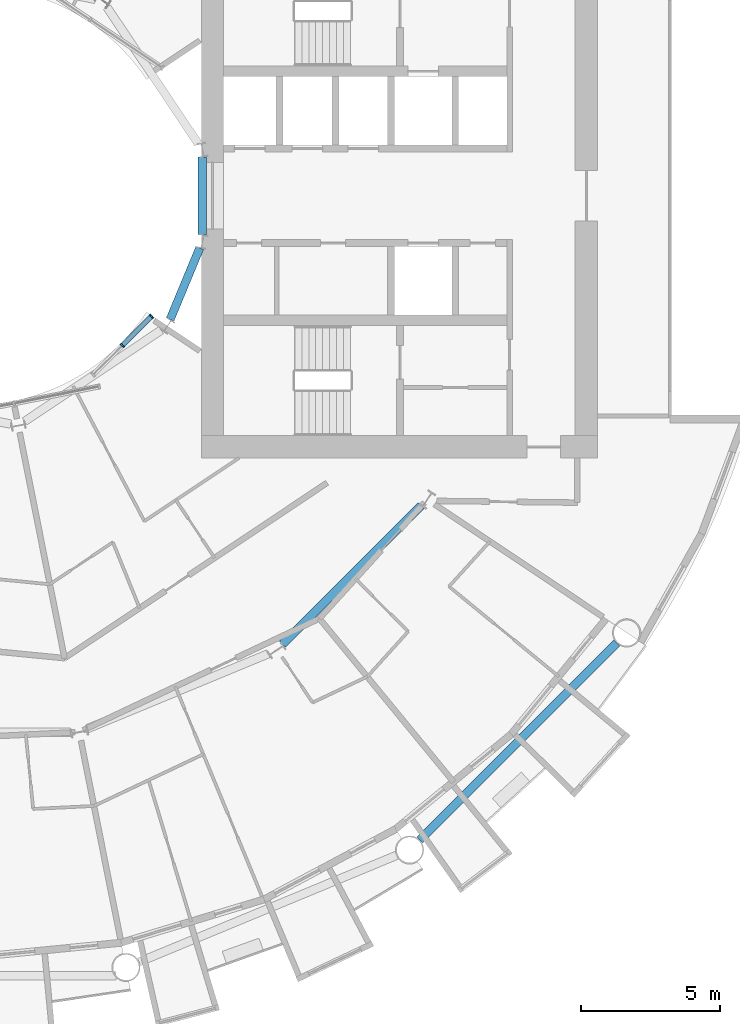
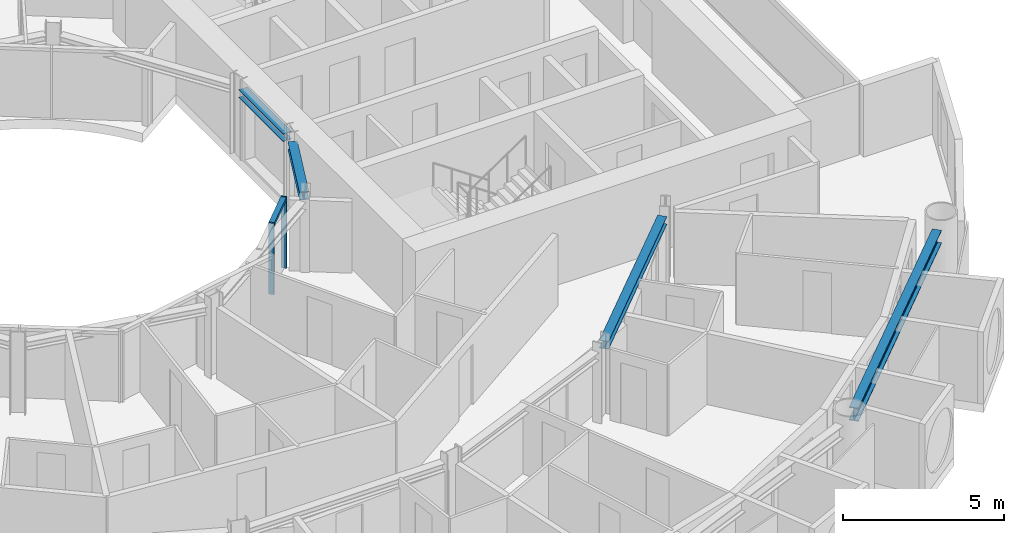
# One storey, part 6 of 26: 4 beams, 3 members, 1 element without a shape of its own.
"""IFC4 building model written with IfcOpenShell, lengths in metres."""

import ifcopenshell
import ifcopenshell.guid

model = None  # the IFC model being written
_history = None  # IfcOwnerHistory: only IFC2X3 demands one
_inside = {}  # id of a spatial element -> (the spatial element, [elements in it])
_under = {}  # id of a project, library or spatial element -> (it, [spatial elements below it])
_declared = {}  # id of a project -> (the project, [libraries it declares])
_typed = {}  # id of a type object -> (the type object, [elements of that type])
_made_of = {}  # id of a material, layer set ... -> (it, [elements and type objects made of it])


def new_model(schema):
    """Start an empty IFC model of exactly this schema.

    Asked for "IFC4X3", IfcOpenShell would pick the latest addendum, in which some entities
    have other attributes; the version numbers below select the first issue.
    IFC2X3 requires an IfcOwnerHistory on every rooted entity: one is made here for all.
    """
    global model, _history
    if schema == "IFC4X3":
        model = ifcopenshell.file(schema_version=(4, 3, 0, 0))
    else:
        model = ifcopenshell.file(schema=schema)
    _inside.clear()
    _under.clear()
    _declared.clear()
    _typed.clear()
    _made_of.clear()
    _history = None
    if model.schema == "IFC2X3":
        org = make("IfcOrganization", Name="unknown")
        user = make(
            "IfcPersonAndOrganization",
            ThePerson=make("IfcPerson", FamilyName="unknown"),
            TheOrganization=org,
        )
        app = make(
            "IfcApplication",
            ApplicationDeveloper=org,
            Version="unknown",
            ApplicationFullName="unknown",
            ApplicationIdentifier="unknown",
        )
        _history = make(
            "IfcOwnerHistory",
            OwningUser=user,
            OwningApplication=app,
            ChangeAction="ADDED",
            CreationDate=0,
        )
    return model


def make(cls, **values):
    """One entity of the class cls with the attributes given. An attribute that is None is left unset."""
    return model.create_entity(
        cls, **{name: value for name, value in values.items() if value is not None}
    )


def rooted(cls, **values):
    """An entity with a GlobalId (a new one), such as an element, a storey or a relation."""
    return make(cls, GlobalId=ifcopenshell.guid.new(), OwnerHistory=_history, **values)


def si_unit(unit_type, name, prefix=None):
    """IfcSIUnit, for example si_unit("LENGTHUNIT", "METRE", prefix="MILLI")."""
    return make("IfcSIUnit", UnitType=unit_type, Prefix=prefix, Name=name)


def assignment(units):
    """IfcUnitAssignment: the units of a project."""
    return None if units is None else make("IfcUnitAssignment", Units=units)


def point(xyz):
    """IfcCartesianPoint."""
    return None if xyz is None else make("IfcCartesianPoint", Coordinates=xyz)


def direction(xyz):
    """IfcDirection."""
    return None if xyz is None else make("IfcDirection", DirectionRatios=xyz)


def frame(location, z_axis=None, x_axis=None):
    """IfcAxis2Placement3D, a coordinate frame: its origin and axes. An axis left out is left unset."""
    return make(
        "IfcAxis2Placement3D",
        Location=point(location),
        Axis=direction(z_axis),
        RefDirection=direction(x_axis),
    )


def frame_2d(location, x_axis=None):
    """IfcAxis2Placement2D, a coordinate frame in the plane: its origin and x axis."""
    return make(
        "IfcAxis2Placement2D", Location=point(location), RefDirection=direction(x_axis)
    )


def origin():
    """The frame at (0, 0, 0) with its axes left unset."""
    return frame((0.0, 0.0, 0.0))


def origin_2d():
    """The frame at (0, 0) in the plane with its x axis left unset."""
    return frame_2d((0.0, 0.0))


def place(relative_to, where):
    """IfcLocalPlacement: puts the frame where relative to a parent placement (None: the world)."""
    return make(
        "IfcLocalPlacement", PlacementRelTo=relative_to, RelativePlacement=where
    )


def context(
    kind, dimensions, precision=None, world=None, true_north=None, identifier=None
):
    """IfcGeometricRepresentationContext, for example the 3D "Model" context."""
    return make(
        "IfcGeometricRepresentationContext",
        ContextIdentifier=identifier,
        ContextType=kind,
        CoordinateSpaceDimension=dimensions,
        Precision=precision,
        WorldCoordinateSystem=world,
        TrueNorth=true_north,
    )


def subcontext(parent, identifier, kind, view, scale=None):
    """IfcGeometricRepresentationSubContext, for example "Body" below "Model"."""
    return make(
        "IfcGeometricRepresentationSubContext",
        ContextIdentifier=identifier,
        ContextType=kind,
        ParentContext=parent,
        TargetScale=scale,
        TargetView=view,
    )


def project(units=None, contexts=None):
    """IfcProject with its units and contexts."""
    return rooted(
        "IfcProject",
        Name="project",
        RepresentationContexts=contexts,
        UnitsInContext=assignment(units),
    )


def spatial(cls, under=None, at=None, **own):
    """A site, building, storey or space (cls), placed at a placement, below another one or the project."""
    s = rooted(cls, ObjectPlacement=at, **own)
    if under is not None:
        _under.setdefault(under.id(), (under, []))[1].append(s)
    return s


def profile(cls, at=None, kind="AREA", **sizes):
    """A parametric profile (cls). Its sizes go by their IFC names, for example OverallWidth=200.0."""
    return make(cls, ProfileType=kind, Position=at, **sizes)


def rectangle(**sizes):
    """IfcRectangleProfileDef."""
    return profile("IfcRectangleProfileDef", **sizes)


def i_section(**sizes):
    """IfcIShapeProfileDef."""
    return profile("IfcIShapeProfileDef", **sizes)


def extrude(swept, where, along, depth):
    """IfcExtrudedAreaSolid: the profile swept, set in the frame where, extruded along a direction by depth."""
    return make(
        "IfcExtrudedAreaSolid",
        SweptArea=swept,
        Position=where,
        ExtrudedDirection=direction(along),
        Depth=depth,
    )


def shape(context_of_items, identifier, shape_type, items):
    """IfcShapeRepresentation: the items that make up one representation, for example the "Body"."""
    return make(
        "IfcShapeRepresentation",
        ContextOfItems=context_of_items,
        RepresentationIdentifier=identifier,
        RepresentationType=shape_type,
        Items=items,
    )


def material(Name=None, Category=None):
    """IfcMaterial."""
    return make("IfcMaterial", Name=Name, Category=Category)


def layer(
    of_material, thickness, ventilated=None, Name=None, Category=None, Priority=None
):
    """IfcMaterialLayer: one layer of a wall or slab, of a material (None: an air gap)."""
    return make(
        "IfcMaterialLayer",
        Material=of_material,
        LayerThickness=thickness,
        IsVentilated=ventilated,
        Name=Name,
        Category=Category,
        Priority=Priority,
    )


def layer_set(layers, Name=None):
    """IfcMaterialLayerSet."""
    return make("IfcMaterialLayerSet", MaterialLayers=layers, LayerSetName=Name)


def material_profile(
    of_material, cross_section, Name=None, Category=None, Priority=None
):
    """IfcMaterialProfile: a cross section and its material."""
    return make(
        "IfcMaterialProfile",
        Name=Name,
        Material=of_material,
        Profile=cross_section,
        Priority=Priority,
        Category=Category,
    )


def profile_set(profiles, Name=None, composite=None):
    """IfcMaterialProfileSet."""
    return make(
        "IfcMaterialProfileSet",
        Name=Name,
        MaterialProfiles=profiles,
        CompositeProfile=composite,
    )


def made_of(thing, what):
    """Note that an element or type object is made of a material, layer set ...; save() writes the relation."""
    if what is not None:
        _made_of.setdefault(what.id(), (what, []))[1].append(thing)
    return thing


def type_object(cls, material=None, **own):
    """A type object (cls), such as IfcWallType, which elements share."""
    return made_of(rooted(cls, **own), material)


def element(
    cls,
    number,
    at=None,
    inside=None,
    cuts=None,
    type_object=None,
    material=None,
    context=None,
    identifier="Body",
    shape_type=None,
    held_by="IfcProductDefinitionShape",
    body=None,
    shapes=None,
    **own,
):
    """One element of the class cls, such as IfcWall. Its Tag is "e" and its number.

    at: its placement. inside: the storey or other place that contains it. cuts: it is an
    opening in that element (IfcRelVoidsElement). A single representation is given by context,
    identifier, shape_type and body (its items); several are given by shapes. held_by: the class
    of the entity that holds the representations. save() writes the other relations.
    """
    e = rooted(cls, Tag="e%d" % number, ObjectPlacement=at, **own)
    if body is not None:
        shapes = [shape(context, identifier, shape_type, body)]
    if shapes is not None:
        e.Representation = make(held_by, Representations=shapes)
    if inside is not None:
        _inside.setdefault(inside.id(), (inside, []))[1].append(e)
    if cuts is not None:
        rooted(
            "IfcRelVoidsElement", RelatingBuildingElement=cuts, RelatedOpeningElement=e
        )
    if type_object is not None:
        _typed.setdefault(type_object.id(), (type_object, []))[1].append(e)
    return made_of(e, material)


def aggregate(whole, parts):
    """IfcRelAggregates: a whole, such as a stair, and the parts it consists of."""
    return rooted("IfcRelAggregates", RelatingObject=whole, RelatedObjects=parts)


def save(model, path):
    """Write the relations noted so far, then the file.

    IfcRelAggregates (storeys below a building ...), IfcRelContainedInSpatialStructure (elements
    in a storey), IfcRelDefinesByType, IfcRelAssociatesMaterial and IfcRelDeclares: one each for
    every whole, place, type object, material and project.
    """
    for whole, parts in _under.values():
        aggregate(whole, parts)
    for where, things in _inside.values():
        rooted(
            "IfcRelContainedInSpatialStructure",
            RelatedElements=things,
            RelatingStructure=where,
        )
    for kind, things in _typed.values():
        rooted("IfcRelDefinesByType", RelatedObjects=things, RelatingType=kind)
    for what, things in _made_of.values():
        rooted("IfcRelAssociatesMaterial", RelatedObjects=things, RelatingMaterial=what)
    for by, libraries in _declared.values():
        rooted("IfcRelDeclares", RelatingContext=by, RelatedDefinitions=libraries)
    model.write(path)


model = new_model("IFC4")

# Units and contexts
model_context = context("Model", 3, precision=1e-05, world=origin(), true_north=direction((0.0, 1.0)))
body_context = subcontext(model_context, "Body", "Model", "MODEL_VIEW")
ifc_project = project(units=[si_unit("LENGTHUNIT", "METRE"), si_unit("AREAUNIT", "SQUARE_METRE"), si_unit("VOLUMEUNIT", "CUBIC_METRE"), si_unit("PLANEANGLEUNIT", "RADIAN"), si_unit("MASSUNIT", "GRAM", prefix="KILO")], contexts=[model_context])

# Site, building, storey
site_placement = place(None, origin())
site = spatial("IfcSite", under=ifc_project, at=site_placement, CompositionType="ELEMENT")
building_placement = place(site_placement, origin())
building = spatial("IfcBuilding", under=site, at=building_placement, Name="Maasbend Ring Residences", CompositionType="ELEMENT")
storey_placement = place(building_placement, frame((0.0, 0.0, 25.85009765625)))
storey = spatial("IfcBuildingStorey", under=building, at=storey_placement, Name="L06", CompositionType="ELEMENT", Elevation=25.85009765625)

# Curtain wall, members
ifc_material_1 = material(Name="Aluminium and clear glass", Category="aluminium")
ifc_layer = layer(ifc_material_1, 0.179931640625)
ifc_layer_set = layer_set([ifc_layer], Name="CW-W")
curtain_wall_type = type_object("IfcCurtainWallType", Name="CW-W", PredefinedType="NOTDEFINED", material=ifc_layer_set)
curtain_wall_placement = place(storey_placement, origin())
curtain_wall = element("IfcCurtainWall", 1, at=curtain_wall_placement, inside=storey, type_object=curtain_wall_type, Name="Well curtain wall S3", PredefinedType="NOTDEFINED")
ifc_material_2 = material(Name="Aluminium 6063-T6", Category="aluminium")
ifc_material_profile_1 = material_profile(ifc_material_2, rectangle(XDim=0.179931640625, YDim=0.06005859375, at=origin_2d()), Name="AL 180x60")
ifc_profile_set_1 = profile_set([ifc_material_profile_1], Name="Aluminium 6063-T6")
member_type_1 = type_object("IfcMemberType", Name="CWM-W", PredefinedType="MULLION", material=ifc_profile_set_1)
member_1_placement = place(storey_placement, frame((5.366943359375, -5.366943359375, 0.0), z_axis=(0.0, 0.0, 1.0), x_axis=(-0.707106781187, 0.707106781187, 0.0)))
member_1 = element("IfcMember", 2, at=member_1_placement, type_object=member_type_1, Name="Mullion well face", PredefinedType="MULLION", context=body_context, shape_type="SweptSolid", body=[
    extrude(rectangle(XDim=0.179931640625, YDim=0.06005859375, at=origin_2d()), origin(), (0.0, 0.0, 1.0), 2.699951171875),
])
member_2_placement = place(storey_placement, frame((6.413330078125, -4.320556640625, 0.0), z_axis=(0.0, 0.0, 1.0), x_axis=(-0.707106781187, 0.707106781187, 0.0)))
member_2 = element("IfcMember", 3, at=member_2_placement, type_object=member_type_1, Name="Mullion well face", PredefinedType="MULLION", context=body_context, shape_type="SweptSolid", body=[
    extrude(rectangle(XDim=0.179931640625, YDim=0.06005859375, at=origin_2d()), origin(), (0.0, 0.0, 1.0), 2.699951171875),
])
ifc_material_3 = material(Name="Aluminium 6063-T6", Category="aluminium")
ifc_material_profile_2 = material_profile(ifc_material_3, rectangle(XDim=0.179931640625, YDim=0.1201171875, at=origin_2d()), Name="AL 180x120")
ifc_profile_set_2 = profile_set([ifc_material_profile_2], Name="Aluminium 6063-T6")
member_type_2 = type_object("IfcMemberType", Name="CWT-W", PredefinedType="USERDEFINED", material=ifc_profile_set_2)
member_3_placement = place(storey_placement, frame((5.38818359375, -5.345703125, 2.639892578125), z_axis=(0.707106781187, 0.707106781187, 0.0), x_axis=(-0.707106781187, 0.707106781187, 0.0)))
member_3 = element("IfcMember", 4, at=member_3_placement, type_object=member_type_2, Name="Transom well face", ObjectType="TRANSOM", PredefinedType="USERDEFINED", context=body_context, shape_type="SweptSolid", body=[
    extrude(rectangle(XDim=0.179931640625, YDim=0.1201171875, at=origin_2d()), origin(), (0.0, 0.0, 1.0), 1.419677734375),
])
aggregate(curtain_wall, [member_1, member_2, member_3])

# Beams
ifc_material_4 = material(Name="Steel S355J2", Category="steel")
ifc_material_profile_3 = material_profile(ifc_material_4, i_section(OverallWidth=0.300048828125, OverallDepth=0.300048828125, WebThickness=0.010986328125, FlangeThickness=0.01904296875, FilletRadius=0.027099609375, at=origin_2d()), Name="HEB 300")
ifc_profile_set_3 = profile_set([ifc_material_profile_3], Name="Steel S355J2")
beam_type_1 = type_object("IfcBeamType", Name="Corridor ring beam HEB 300", PredefinedType="BEAM", material=ifc_profile_set_3)
beam_1_placement = place(storey_placement, frame((11.11279296875, -16.0732421875, 2.5498046875), z_axis=(0.707106781187, 0.707106781187, 0.0), x_axis=(-0.707106781187, 0.707106781187, 0.0)))
element("IfcBeam", 5, at=beam_1_placement, inside=storey, type_object=beam_type_1, Name="Corridor ring beam", PredefinedType="BEAM", context=body_context, shape_type="SweptSolid", body=[
    extrude(i_section(OverallWidth=0.300048828125, OverallDepth=0.300048828125, WebThickness=0.010986328125, FlangeThickness=0.01904296875, FilletRadius=0.027099609375, at=origin_2d()), origin(), (0.0, 0.0, 1.0), 7.01513671875),
])
ifc_material_5 = material(Name="Steel S355J2", Category="steel")
ifc_material_profile_4 = material_profile(ifc_material_5, i_section(OverallWidth=0.300048828125, OverallDepth=0.5, WebThickness=0.014404296875, FlangeThickness=0.028076171875, FilletRadius=0.027099609375, at=origin_2d()), Name="HEB 500")
ifc_profile_set_4 = profile_set([ifc_material_profile_4], Name="Steel S355J2")
beam_type_2 = type_object("IfcBeamType", Name="Spandrel ring beam HEB 500", PredefinedType="SPANDREL", material=ifc_profile_set_4)
beam_2_placement = place(storey_placement, frame((16.0263671875, -23.088134765625, 2.449951171875), z_axis=(0.707106781187, 0.707106781187, 0.0), x_axis=(-0.707106781187, 0.707106781187, 0.0)))
element("IfcBeam", 6, at=beam_2_placement, inside=storey, type_object=beam_type_2, Name="Spandrel ring beam", PredefinedType="SPANDREL", context=body_context, shape_type="SweptSolid", body=[
    extrude(i_section(OverallWidth=0.300048828125, OverallDepth=0.5, WebThickness=0.014404296875, FlangeThickness=0.028076171875, FilletRadius=0.027099609375, at=origin_2d()), origin(), (0.0, 0.0, 1.0), 9.98681640625),
])
ifc_material_6 = material(Name="Steel S355J2", Category="steel")
ifc_material_profile_5 = material_profile(ifc_material_6, i_section(OverallWidth=0.300048828125, OverallDepth=0.300048828125, WebThickness=0.010986328125, FlangeThickness=0.01904296875, FilletRadius=0.027099609375, at=origin_2d()), Name="HEB 300")
ifc_profile_set_5 = profile_set([ifc_material_profile_5], Name="Steel S355J2")
beam_type_3 = type_object("IfcBeamType", Name="Well edge beam HEB 300", PredefinedType="BEAM", material=ifc_profile_set_5)
beam_3_placement = place(storey_placement, frame((7.081787109375, -4.431396484375, 2.5498046875), z_axis=(0.382723119906, 0.923863092395, 0.0), x_axis=(-0.923863092395, 0.382723119906, 0.0)))
element("IfcBeam", 7, at=beam_3_placement, inside=storey, type_object=beam_type_3, Name="Well edge beam", PredefinedType="BEAM", context=body_context, shape_type="SweptSolid", body=[
    extrude(i_section(OverallWidth=0.300048828125, OverallDepth=0.300048828125, WebThickness=0.010986328125, FlangeThickness=0.01904296875, FilletRadius=0.027099609375, at=origin_2d()), origin(), (0.0, 0.0, 1.0), 2.767822265625),
])
beam_4_placement = place(storey_placement, frame((8.238525390625, -1.3837890625, 2.5498046875), z_axis=(0.0, 1.0, 0.0), x_axis=(-1.0, 0.0, 0.0)))
element("IfcBeam", 8, at=beam_4_placement, inside=storey, type_object=beam_type_3, Name="Well edge beam", PredefinedType="BEAM", context=body_context, shape_type="SweptSolid", body=[
    extrude(i_section(OverallWidth=0.300048828125, OverallDepth=0.300048828125, WebThickness=0.010986328125, FlangeThickness=0.01904296875, FilletRadius=0.027099609375, at=origin_2d()), origin(), (0.0, 0.0, 1.0), 2.767578125),
])

save(model, "model.ifc")
